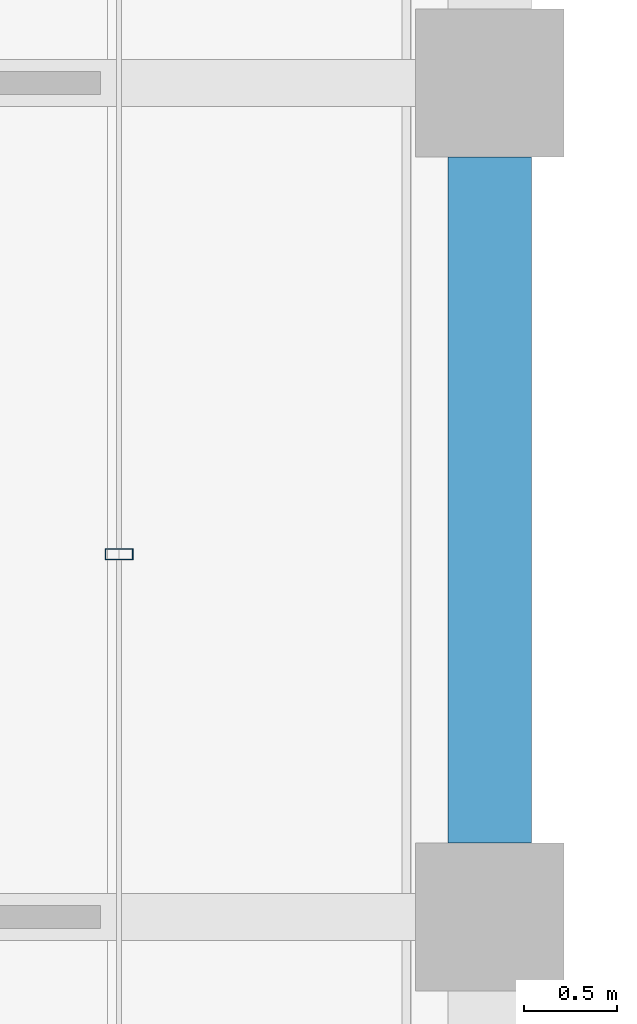
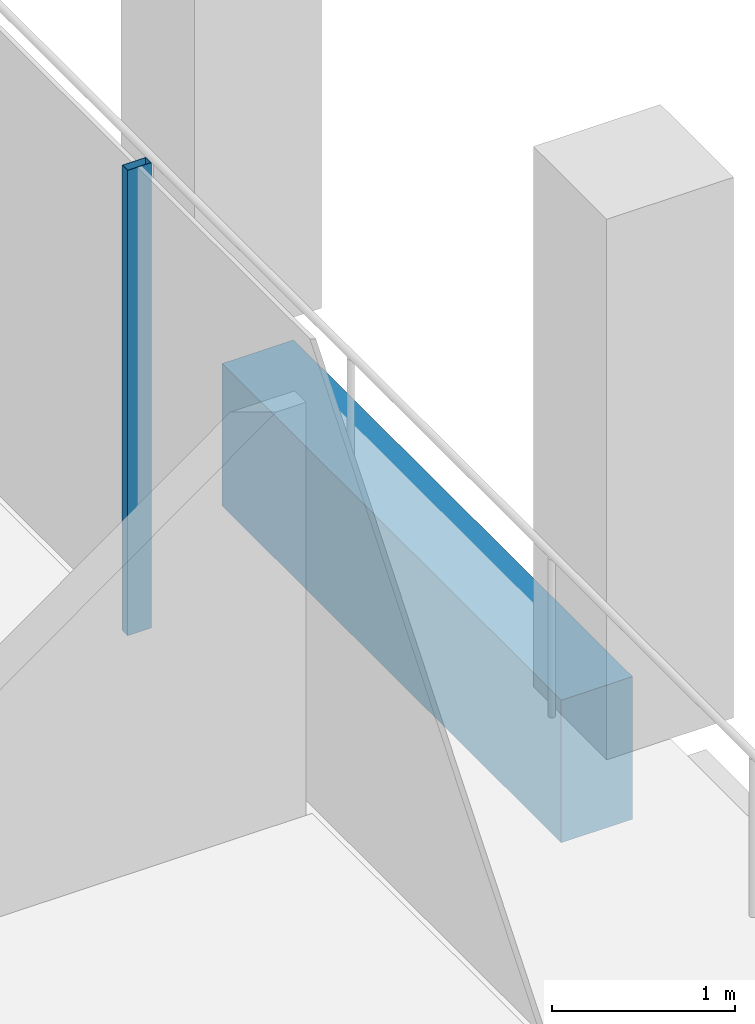
# One storey, part 17 of 41: 1 beam, 1 member, 1 element without a shape of its own.
"""IFC4 building model written with IfcOpenShell, lengths in metres."""

from ifc_helpers import new_model, si_unit, direction, frame, origin, origin_2d, place, context, subcontext, project, spatial, rectangle, hollow_rectangle, extrude, material, material_profile, profile_set, type_object, element, aggregate, save


model = new_model("IFC4")

# Units and contexts
model_context = context("Model", 3, precision=1e-05, world=origin(), true_north=direction((0.0, 1.0)))
body_context = subcontext(model_context, "Body", "Model", "MODEL_VIEW")
ifc_project = project(units=[si_unit("LENGTHUNIT", "METRE"), si_unit("AREAUNIT", "SQUARE_METRE"), si_unit("VOLUMEUNIT", "CUBIC_METRE"), si_unit("PLANEANGLEUNIT", "RADIAN"), si_unit("MASSUNIT", "GRAM", prefix="KILO")], contexts=[model_context])

# Site, building, storey
site_placement = place(None, origin())
site = spatial("IfcSite", under=ifc_project, at=site_placement, CompositionType="ELEMENT")
building_placement = place(site_placement, origin())
building = spatial("IfcBuilding", under=site, at=building_placement, Name="Altepetl Exchange Towers", CompositionType="ELEMENT")
storey_placement = place(building_placement, frame((0.0, 0.0, 206.39990234375)))
storey = spatial("IfcBuildingStorey", under=building, at=storey_placement, Name="L52", CompositionType="ELEMENT", Elevation=206.39990234375)

# Curtain wall, member
ifc_material_1 = material(Name="Aluminium 6063-T6 glazing", Category="aluminium")
curtain_wall_type = type_object("IfcCurtainWallType", Name="Loggia glazing system", PredefinedType="NOTDEFINED", material=ifc_material_1)
curtain_wall_placement = place(storey_placement, origin())
curtain_wall = element("IfcCurtainWall", 1, at=curtain_wall_placement, inside=storey, type_object=curtain_wall_type, Name="CW1 run", PredefinedType="NOTDEFINED")
ifc_material_2 = material(Name="Aluminium 6063-T6", Category="aluminium")
ifc_material_profile_1 = material_profile(ifc_material_2, hollow_rectangle(XDim=0.06005859375, YDim=0.14990234375, WallThickness=0.0029296875, at=origin_2d()), Name="Mullion 60x150 aluminium")
ifc_profile_set_1 = profile_set([ifc_material_profile_1], Name="Aluminium 6063-T6")
member_type = type_object("IfcMemberType", Name="Mullion 60x150 aluminium", PredefinedType="MULLION", material=ifc_profile_set_1)
member_placement = place(storey_placement, frame((70.0, 46.9580078125, 0.0), z_axis=(0.0, 0.0, 1.0), x_axis=(0.0, 1.0, 0.0)))
member = element("IfcMember", 2, at=member_placement, type_object=member_type, Name="MU1 mullion", PredefinedType="MULLION", context=body_context, shape_type="SweptSolid", body=[
    extrude(hollow_rectangle(XDim=0.06005859375, YDim=0.14990234375, WallThickness=0.0029296875, at=origin_2d()), origin(), (0.0, 0.0, 1.0), 3.10009765625),
])
aggregate(curtain_wall, [member])

# Beam
ifc_material_3 = material(Name="Concrete C50/60 precast with cantera amarilla facing", Category="concrete")
ifc_material_profile_2 = material_profile(ifc_material_3, rectangle(XDim=0.449951171875, YDim=0.949951171875, at=origin_2d()), Name="450 x 950")
ifc_profile_set_2 = profile_set([ifc_material_profile_2], Name="Concrete C50/60 precast with cantera amarilla facing")
beam_type = type_object("IfcBeamType", Name="Spandrel beam 450x950 cantera amarilla", PredefinedType="SPANDREL", material=ifc_profile_set_2)
beam_placement = place(storey_placement, frame((72.0, 45.39990234375, -0.625), z_axis=(0.0, 1.0, 0.0), x_axis=(-1.0, 0.0, 0.0)))
element("IfcBeam", 3, at=beam_placement, inside=storey, type_object=beam_type, Name="sp:A:L52:015", PredefinedType="SPANDREL", context=body_context, shape_type="SweptSolid", body=[
    extrude(rectangle(XDim=0.449951171875, YDim=0.949951171875, at=origin_2d()), origin(), (0.0, 0.0, 1.0), 3.7001953125),
])

save(model, "model.ifc")
